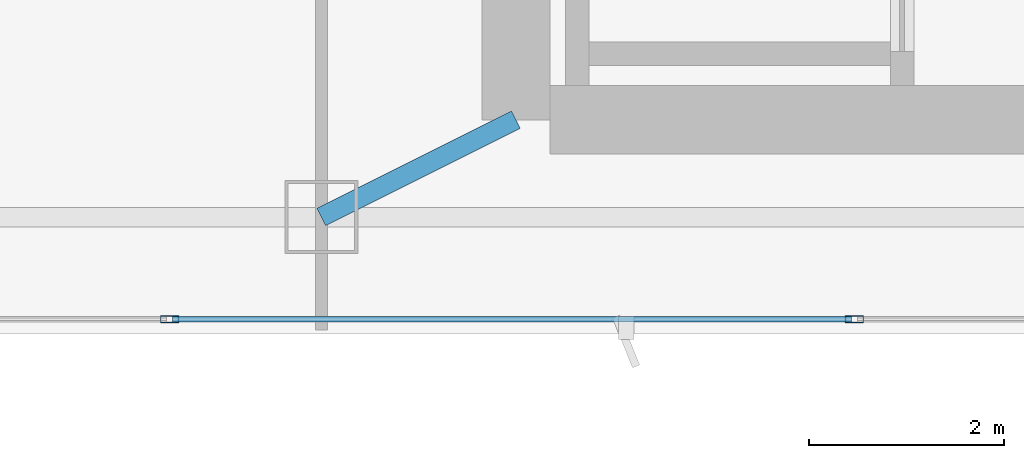
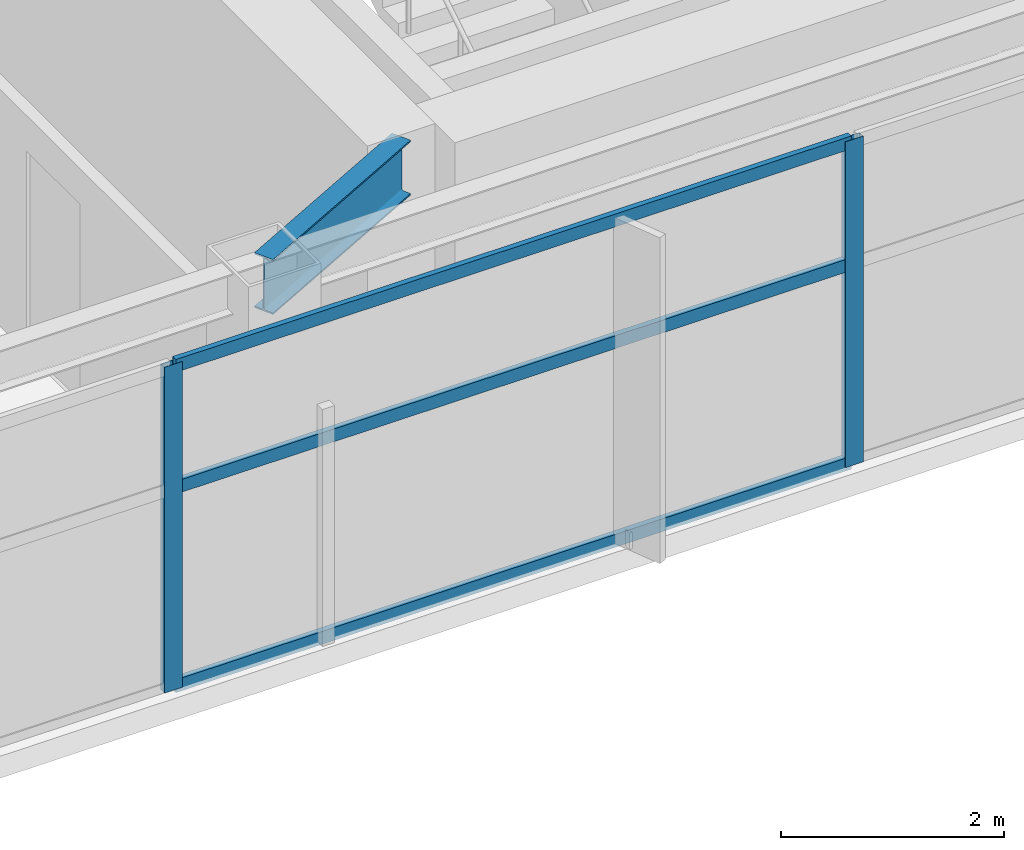
# One storey, part 6 of 27: 5 members, 1 beam, 1 element without a shape of its own.
"""IFC4 building model written with IfcOpenShell, lengths in metres."""

from ifc_helpers import new_model, si_unit, direction, frame, origin, origin_2d, place, context, subcontext, project, spatial, hollow_rectangle, i_section, extrude, material, layer, layer_set, material_profile, profile_set, type_object, element, aggregate, save


model = new_model("IFC4")

# Units and contexts
model_context = context("Model", 3, precision=1e-05, world=origin(), true_north=direction((0.0, 1.0)))
body_context = subcontext(model_context, "Body", "Model", "MODEL_VIEW")
ifc_project = project(units=[si_unit("LENGTHUNIT", "METRE"), si_unit("AREAUNIT", "SQUARE_METRE"), si_unit("VOLUMEUNIT", "CUBIC_METRE"), si_unit("PLANEANGLEUNIT", "RADIAN"), si_unit("MASSUNIT", "GRAM", prefix="KILO")], contexts=[model_context])

# Site, building, storey
site_placement = place(None, origin())
site = spatial("IfcSite", under=ifc_project, at=site_placement, CompositionType="ELEMENT")
building_placement = place(site_placement, origin())
building = spatial("IfcBuilding", under=site, at=building_placement, Name="Calvorn Quay Hotel", CompositionType="ELEMENT")
storey_placement = place(building_placement, frame((0.0, 0.0, 226.89990234375)))
storey = spatial("IfcBuildingStorey", under=building, at=storey_placement, Name="L56", CompositionType="ELEMENT", Elevation=226.89990234375)

# Beam
ifc_material_1 = material(Name="Steel Q355B", Category="steel")
ifc_material_profile_1 = material_profile(ifc_material_1, i_section(OverallWidth=0.199951171875, OverallDepth=0.60009765625, WebThickness=0.010986328125, FlangeThickness=0.01708984375, FilletRadius=0.01806640625, at=origin_2d()), Name="HN600x200x11x17")
ifc_profile_set_1 = profile_set([ifc_material_profile_1], Name="Steel Q355B")
beam_type = type_object("IfcBeamType", Name="BM-GIRD-TYP", PredefinedType="BEAM", material=ifc_profile_set_1)
beam_placement = place(storey_placement, frame((19.60009765625, 3.60009765625, 3.239990234375), z_axis=(0.894427191, 0.4472135955, 0.0), x_axis=(-0.4472135955, 0.894427191, 0.0)))
element("IfcBeam", 1, at=beam_placement, inside=storey, type_object=beam_type, Name="Beam BG-L56-S2", PredefinedType="BEAM", context=body_context, shape_type="SweptSolid", body=[
    extrude(i_section(OverallWidth=0.199951171875, OverallDepth=0.60009765625, WebThickness=0.010986328125, FlangeThickness=0.01708984375, FilletRadius=0.01806640625, at=origin_2d()), origin(), (0.0, 0.0, 1.0), 2.236083984375),
])

# Curtain wall, members
ifc_material_2 = material(Name="Champagne Bronze Anodised Aluminium and Low-E Glass", Category="aluminium")
ifc_layer = layer(ifc_material_2, 0.219970703125)
ifc_layer_set = layer_set([ifc_layer], Name="CW-SYS-Z3")
curtain_wall_type = type_object("IfcCurtainWallType", Name="CW-SYS-Z3", PredefinedType="NOTDEFINED", material=ifc_layer_set)
curtain_wall_placement = place(storey_placement, origin())
curtain_wall = element("IfcCurtainWall", 2, at=curtain_wall_placement, inside=storey, type_object=curtain_wall_type, Name="Tower South Waterfront Curtain Wall (L56)", PredefinedType="NOTDEFINED")
ifc_material_3 = material(Name="Champagne Bronze Anodised Aluminium 6063-T6", Category="aluminium")
ifc_material_profile_2 = material_profile(ifc_material_3, hollow_rectangle(XDim=0.068115234375, YDim=0.18505859375, WallThickness=0.00390625, at=origin_2d()), Name="ALU-M185x68x4")
ifc_profile_set_2 = profile_set([ifc_material_profile_2], Name="Champagne Bronze Anodised Aluminium 6063-T6")
member_type_1 = type_object("IfcMemberType", Name="CW-SYS-Z3-MUL", PredefinedType="MULLION", material=ifc_profile_set_2)
member_1_placement = place(storey_placement, frame((18.0400390625, 2.550048828125, 0.0), z_axis=(0.0, 0.0, 1.0), x_axis=(0.0, 1.0, 0.0)))
member_1 = element("IfcMember", 3, at=member_1_placement, type_object=member_type_1, Name="CW-L56-S mullion 2", PredefinedType="MULLION", context=body_context, shape_type="SweptSolid", body=[
    extrude(hollow_rectangle(XDim=0.068115234375, YDim=0.18505859375, WallThickness=0.00390625, at=origin_2d()), origin(), (0.0, 0.0, 1.0), 3.56005859375),
])
member_2_placement = place(storey_placement, frame((25.080078125, 2.550048828125, 0.0), z_axis=(0.0, 0.0, 1.0), x_axis=(0.0, 1.0, 0.0)))
member_2 = element("IfcMember", 4, at=member_2_placement, type_object=member_type_1, Name="CW-L56-S mullion 3", PredefinedType="MULLION", context=body_context, shape_type="SweptSolid", body=[
    extrude(hollow_rectangle(XDim=0.068115234375, YDim=0.18505859375, WallThickness=0.00390625, at=origin_2d()), origin(), (0.0, 0.0, 1.0), 3.56005859375),
])
ifc_material_4 = material(Name="Champagne Bronze Anodised Aluminium 6063-T6", Category="aluminium")
ifc_material_profile_3 = material_profile(ifc_material_4, hollow_rectangle(XDim=0.05810546875, YDim=0.139892578125, WallThickness=0.003173828125, at=origin_2d()), Name="ALU-T140x58x3.2")
ifc_profile_set_3 = profile_set([ifc_material_profile_3], Name="Champagne Bronze Anodised Aluminium 6063-T6")
member_type_2 = type_object("IfcMemberType", Name="CW-SYS-Z3-TRN", PredefinedType="USERDEFINED", material=ifc_profile_set_3)
member_3_placement = place(storey_placement, frame((18.070068359375, 2.550048828125, 0.030029296875), z_axis=(1.0, 0.0, 0.0), x_axis=(0.0, 1.0, 0.0)))
member_3 = element("IfcMember", 5, at=member_3_placement, type_object=member_type_2, Name="CW-L56-S transom 2.1", ObjectType="TRANSOM", PredefinedType="USERDEFINED", context=body_context, shape_type="SweptSolid", body=[
    extrude(hollow_rectangle(XDim=0.05810546875, YDim=0.139892578125, WallThickness=0.003173828125, at=origin_2d()), origin(), (0.0, 0.0, 1.0), 6.97998046875),
])
member_4_placement = place(storey_placement, frame((18.070068359375, 2.550048828125, 2.2001953125), z_axis=(1.0, 0.0, 0.0), x_axis=(0.0, 1.0, 0.0)))
member_4 = element("IfcMember", 6, at=member_4_placement, type_object=member_type_2, Name="CW-L56-S transom 2.2", ObjectType="TRANSOM", PredefinedType="USERDEFINED", context=body_context, shape_type="SweptSolid", body=[
    extrude(hollow_rectangle(XDim=0.05810546875, YDim=0.139892578125, WallThickness=0.003173828125, at=origin_2d()), origin(), (0.0, 0.0, 1.0), 6.97998046875),
])
member_5_placement = place(storey_placement, frame((18.070068359375, 2.550048828125, 3.530029296875), z_axis=(1.0, 0.0, 0.0), x_axis=(0.0, 1.0, 0.0)))
member_5 = element("IfcMember", 7, at=member_5_placement, type_object=member_type_2, Name="CW-L56-S transom 2.3", ObjectType="TRANSOM", PredefinedType="USERDEFINED", context=body_context, shape_type="SweptSolid", body=[
    extrude(hollow_rectangle(XDim=0.05810546875, YDim=0.139892578125, WallThickness=0.003173828125, at=origin_2d()), origin(), (0.0, 0.0, 1.0), 6.97998046875),
])
aggregate(curtain_wall, [member_1, member_2, member_3, member_4, member_5])

save(model, "model.ifc")
